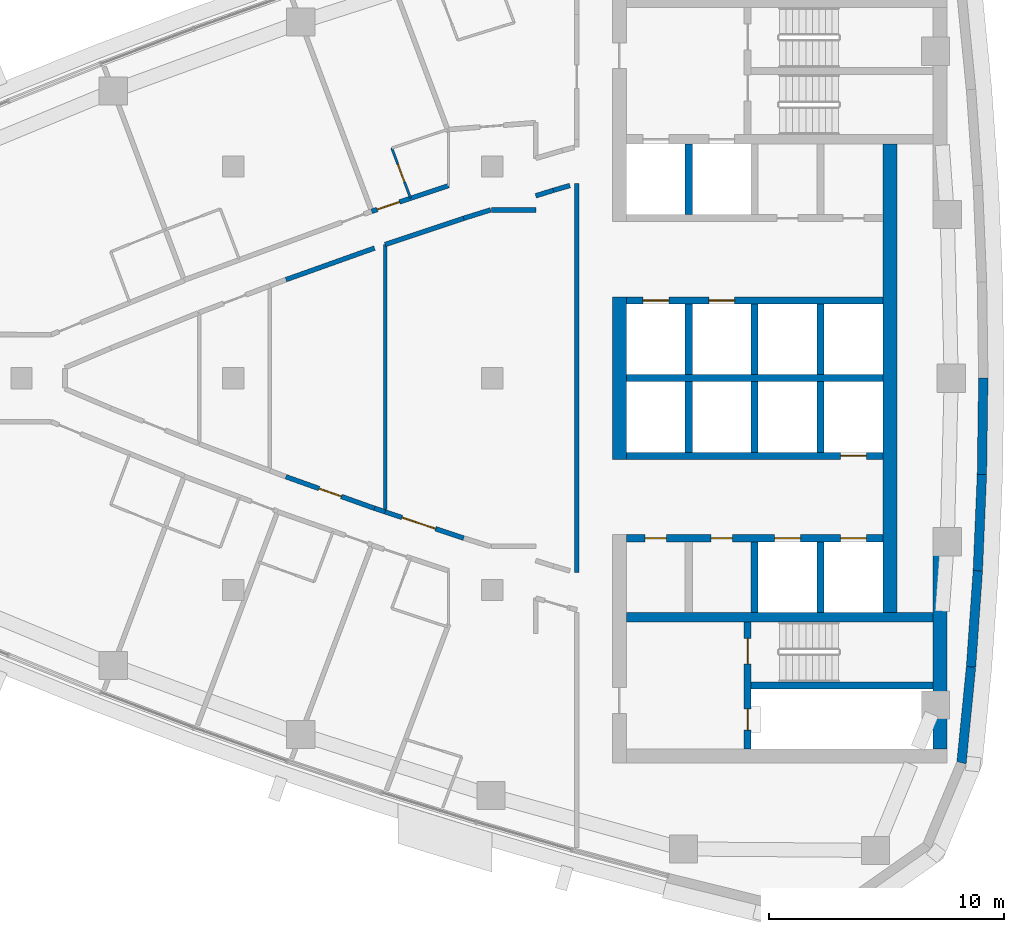
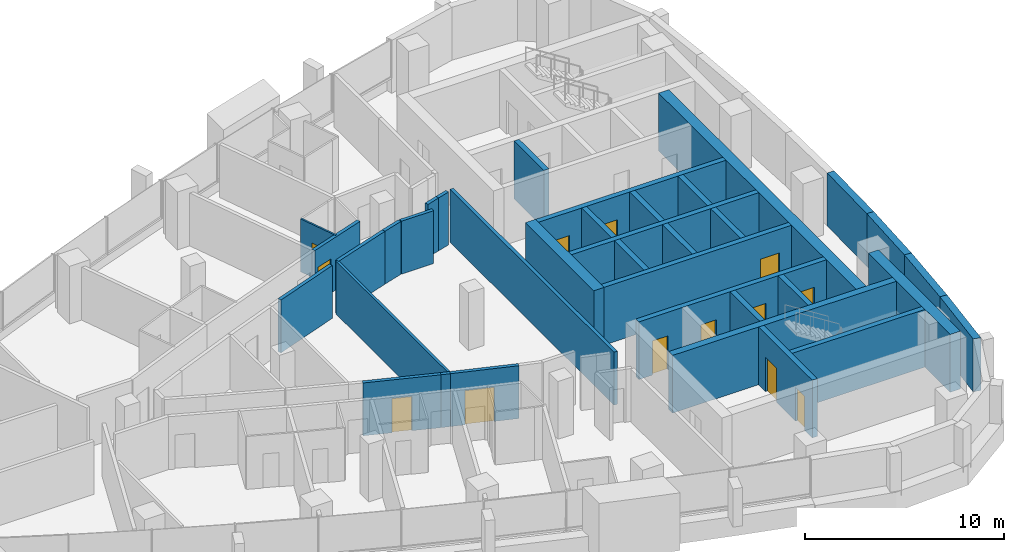
# One storey, part 10 of 16: 36 walls, 13 doors, 13 openings.
"""IFC4 building model written with IfcOpenShell, lengths in metres."""

from ifc_helpers import new_model, si_unit, direction, frame, frame_2d, origin, place, context, subcontext, project, spatial, polyline, rectangle, outline, extrude, material, layer, layer_set, type_object, element, fill, save


model = new_model("IFC4")

# Units and contexts
model_context = context("Model", 3, precision=1e-05, world=origin(), true_north=direction((0.0, 1.0)))
body_context = subcontext(model_context, "Body", "Model", "MODEL_VIEW")
ifc_project = project(units=[si_unit("LENGTHUNIT", "METRE"), si_unit("AREAUNIT", "SQUARE_METRE"), si_unit("VOLUMEUNIT", "CUBIC_METRE"), si_unit("PLANEANGLEUNIT", "RADIAN"), si_unit("MASSUNIT", "GRAM", prefix="KILO")], contexts=[model_context])

# Site, building, storey
site_placement = place(None, origin())
site = spatial("IfcSite", under=ifc_project, at=site_placement, CompositionType="ELEMENT")
building_placement = place(site_placement, origin())
building = spatial("IfcBuilding", under=site, at=building_placement, Name="Ostrand Prow Hotel Tower", CompositionType="ELEMENT")
storey_placement = place(building_placement, frame((0.0, 0.0, 220.800048828125)))
storey = spatial("IfcBuildingStorey", under=building, at=storey_placement, Name="L55", CompositionType="ELEMENT", Elevation=220.800048828125)

# Wall
ifc_material_1 = material(Name="Concrete C50/60", Category="concrete")
ifc_layer_1 = layer(ifc_material_1, 0.300048828125)
ifc_layer_set_1 = layer_set([ifc_layer_1], Name="Concrete C50/60")
wall_type_1 = type_object("IfcWallType", Name="Core wall 300 C50/60", PredefinedType="SHEAR", material=ifc_layer_set_1)
wall_1_placement = place(storey_placement, frame((50.699951171875, 0.0, 0.0), z_axis=(0.0, 0.0, 1.0), x_axis=(1.0, 0.0, 0.0)))
element("IfcWall", 1, at=wall_1_placement, inside=storey, type_object=wall_type_1, Name="Core wall PW-C", PredefinedType="SHEAR", context=body_context, shape_type="SweptSolid", body=[
    extrude(rectangle(XDim=10.900146484375, YDim=0.300048828125, at=frame_2d((5.4501953125, 0.0))), origin(), (0.0, 0.0, 1.0), 3.550048828125),
])

# Wall, openings, doors
wall_2_placement = place(storey_placement, frame((50.699951171875, 3.300048828125, 0.0), z_axis=(0.0, 0.0, 1.0), x_axis=(1.0, 0.0, 0.0)))
wall_2 = element("IfcWall", 2, at=wall_2_placement, inside=storey, type_object=wall_type_1, Name="Core wall PW-L1-N", PredefinedType="SHEAR", context=body_context, shape_type="SweptSolid", body=[
    extrude(rectangle(XDim=10.900146484375, YDim=0.300048828125, at=frame_2d((5.4501953125, 0.0))), origin(), (0.0, 0.0, 1.0), 3.550048828125),
])
opening_1_placement = place(wall_2_placement, frame((0.699951171875, 0.0, 0.0)))
opening_1 = element("IfcOpeningElement", 3, at=opening_1_placement, cuts=wall_2, Name="Opening LD", PredefinedType="OPENING", context=body_context, shape_type="SweptSolid", body=[
    extrude(rectangle(XDim=1.10009765625, YDim=2.10009765625, at=frame_2d((0.550048828125, 1.050048828125))), frame((0.0, 0.159912109375, 0.0), z_axis=(0.0, -1.0, 0.0), x_axis=(1.0, 0.0, 0.0)), (0.0, 0.0, 1.0), 0.320068359375),
])
opening_2_placement = place(wall_2_placement, frame((3.5, 0.0, 0.0)))
opening_2 = element("IfcOpeningElement", 4, at=opening_2_placement, cuts=wall_2, Name="Opening LD", PredefinedType="OPENING", context=body_context, shape_type="SweptSolid", body=[
    extrude(rectangle(XDim=1.10009765625, YDim=2.10009765625, at=frame_2d((0.550048828125, 1.050048828125))), frame((0.0, 0.159912109375, 0.0), z_axis=(0.0, -1.0, 0.0), x_axis=(1.0, 0.0, 0.0)), (0.0, 0.0, 1.0), 0.320068359375),
])
ifc_material_2 = material(Name="Stainless steel door", Category="steel")
door_type_1 = type_object("IfcDoorType", Name="Lift landing door 1100", OperationType="DOUBLE_DOOR_SLIDING", PredefinedType="DOOR", material=ifc_material_2)
door_1_placement = place(opening_1_placement, origin())
door_1 = element("IfcDoor", 5, at=door_1_placement, inside=storey, type_object=door_type_1, Name="LIFT LANDING DOOR", OperationType="DOUBLE_DOOR_SLIDING", OverallHeight=2.10009765625, OverallWidth=1.10009765625, PredefinedType="DOOR", context=body_context, shape_type="SweptSolid", body=[
    extrude(rectangle(XDim=1.10009765625, YDim=2.10009765625, at=frame_2d((0.550048828125, 1.050048828125))), frame((0.0, 0.02490234375, 0.0), z_axis=(0.0, -1.0, 0.0), x_axis=(1.0, 0.0, 0.0)), (0.0, 0.0, 1.0), 0.050048828125),
])
fill(opening_1, door_1)
door_2_placement = place(opening_2_placement, origin())
door_2 = element("IfcDoor", 6, at=door_2_placement, inside=storey, type_object=door_type_1, Name="LIFT LANDING DOOR", OperationType="DOUBLE_DOOR_SLIDING", OverallHeight=2.10009765625, OverallWidth=1.10009765625, PredefinedType="DOOR", context=body_context, shape_type="SweptSolid", body=[
    extrude(rectangle(XDim=1.10009765625, YDim=2.10009765625, at=frame_2d((0.550048828125, 1.050048828125))), frame((0.0, 0.02490234375, 0.0), z_axis=(0.0, -1.0, 0.0), x_axis=(1.0, 0.0, 0.0)), (0.0, 0.0, 1.0), 0.050048828125),
])
fill(opening_2, door_2)

# Walls
for number, where, z_axis, x_axis, name in (
    (7, (53.35009765625, 0.14990234375, 0.0), (0.0, 0.0, 1.0), (0.0, 1.0, 0.0), "Core wall PW-R1-NB"),
    (8, (53.35009765625, 6.949951171875, 0.0), (0.0, 0.0, 1.0), (0.0, 1.0, 0.0), "Core wall PW-R1-NA"),
    (9, (56.14990234375, 0.14990234375, 0.0), (0.0, 0.0, 1.0), (0.0, 1.0, 0.0), "Core wall PW-R2-NB"),
    (10, (58.949951171875, 0.14990234375, 0.0), (0.0, 0.0, 1.0), (0.0, 1.0, 0.0), "Core wall PW-R3-NB"),
):
    element("IfcWall", number, at=place(storey_placement, frame(where, z_axis=z_axis, x_axis=x_axis)), inside=storey, type_object=wall_type_1, Name=name, PredefinedType="SHEAR", context=body_context, shape_type="SweptSolid", body=[
        extrude(rectangle(XDim=3.0, YDim=0.300048828125, at=frame_2d((1.5, 0.0))), origin(), (0.0, 0.0, 1.0), 3.550048828125),
    ])

# Wall, opening, door
wall_3_placement = place(storey_placement, frame((50.699951171875, -3.300048828125, 0.0), z_axis=(0.0, 0.0, 1.0), x_axis=(1.0, 0.0, 0.0)))
wall_3 = element("IfcWall", 11, at=wall_3_placement, inside=storey, type_object=wall_type_1, Name="Core wall PW-L1-S", PredefinedType="SHEAR", context=body_context, shape_type="SweptSolid", body=[
    extrude(rectangle(XDim=10.900146484375, YDim=0.300048828125, at=frame_2d((5.4501953125, 0.0))), origin(), (0.0, 0.0, 1.0), 3.550048828125),
])
opening_3_placement = place(wall_3_placement, frame((9.10009765625, 0.0, 0.0)))
opening_3 = element("IfcOpeningElement", 12, at=opening_3_placement, cuts=wall_3, Name="Opening LD", PredefinedType="OPENING", context=body_context, shape_type="SweptSolid", body=[
    extrude(rectangle(XDim=1.10009765625, YDim=2.10009765625, at=frame_2d((0.550048828125, 1.050048828125))), frame((0.0, 0.159912109375, 0.0), z_axis=(0.0, -1.0, 0.0), x_axis=(1.0, 0.0, 0.0)), (0.0, 0.0, 1.0), 0.320068359375),
])
door_3_placement = place(opening_3_placement, origin())
door_3 = element("IfcDoor", 13, at=door_3_placement, inside=storey, type_object=door_type_1, Name="LIFT LANDING DOOR", OperationType="DOUBLE_DOOR_SLIDING", OverallHeight=2.10009765625, OverallWidth=1.10009765625, PredefinedType="DOOR", context=body_context, shape_type="SweptSolid", body=[
    extrude(rectangle(XDim=1.10009765625, YDim=2.10009765625, at=frame_2d((0.550048828125, 1.050048828125))), frame((0.0, 0.02490234375, 0.0), z_axis=(0.0, -1.0, 0.0), x_axis=(1.0, 0.0, 0.0)), (0.0, 0.0, 1.0), 0.050048828125),
])
fill(opening_3, door_3)

# Wall, openings, doors
wall_4_placement = place(storey_placement, frame((50.699951171875, -6.800048828125, 0.0), z_axis=(0.0, 0.0, 1.0), x_axis=(1.0, 0.0, 0.0)))
wall_4 = element("IfcWall", 14, at=wall_4_placement, inside=storey, type_object=wall_type_1, Name="Core wall PW-L2-S", PredefinedType="SHEAR", context=body_context, shape_type="SweptSolid", body=[
    extrude(rectangle(XDim=10.900146484375, YDim=0.300048828125, at=frame_2d((5.4501953125, 0.0))), origin(), (0.0, 0.0, 1.0), 3.550048828125),
])
opening_4_placement = place(wall_4_placement, frame((6.300048828125, 0.0, 0.0)))
opening_4 = element("IfcOpeningElement", 15, at=opening_4_placement, cuts=wall_4, Name="Opening LD", PredefinedType="OPENING", context=body_context, shape_type="SweptSolid", body=[
    extrude(rectangle(XDim=1.10009765625, YDim=2.10009765625, at=frame_2d((0.550048828125, 1.050048828125))), frame((0.0, 0.159912109375, 0.0), z_axis=(0.0, -1.0, 0.0), x_axis=(1.0, 0.0, 0.0)), (0.0, 0.0, 1.0), 0.320068359375),
])
opening_5_placement = place(wall_4_placement, frame((9.10009765625, 0.0, 0.0)))
opening_5 = element("IfcOpeningElement", 16, at=opening_5_placement, cuts=wall_4, Name="Opening LD", PredefinedType="OPENING", context=body_context, shape_type="SweptSolid", body=[
    extrude(rectangle(XDim=1.10009765625, YDim=2.10009765625, at=frame_2d((0.550048828125, 1.050048828125))), frame((0.0, 0.159912109375, 0.0), z_axis=(0.0, -1.0, 0.0), x_axis=(1.0, 0.0, 0.0)), (0.0, 0.0, 1.0), 0.320068359375),
])
opening_6_placement = place(wall_4_placement, frame((0.800048828125, 0.0, 0.0)))
opening_6 = element("IfcOpeningElement", 17, at=opening_6_placement, cuts=wall_4, Name="Opening FD2", PredefinedType="OPENING", context=body_context, shape_type="SweptSolid", body=[
    extrude(rectangle(XDim=0.89990234375, YDim=2.10009765625, at=frame_2d((0.449951171875, 1.050048828125))), frame((0.0, 0.159912109375, 0.0), z_axis=(0.0, -1.0, 0.0), x_axis=(1.0, 0.0, 0.0)), (0.0, 0.0, 1.0), 0.320068359375),
])
opening_7_placement = place(wall_4_placement, frame((3.60009765625, 0.0, 0.0)))
opening_7 = element("IfcOpeningElement", 18, at=opening_7_placement, cuts=wall_4, Name="Opening FD2", PredefinedType="OPENING", context=body_context, shape_type="SweptSolid", body=[
    extrude(rectangle(XDim=0.89990234375, YDim=2.10009765625, at=frame_2d((0.449951171875, 1.050048828125))), frame((0.0, 0.159912109375, 0.0), z_axis=(0.0, -1.0, 0.0), x_axis=(1.0, 0.0, 0.0)), (0.0, 0.0, 1.0), 0.320068359375),
])
ifc_material_3 = material(Name="Steel fire door", Category="steel")
door_type_2 = type_object("IfcDoorType", Name="Fire door 900 EI120", OperationType="SINGLE_SWING_LEFT", PredefinedType="DOOR", material=ifc_material_3)
door_4_placement = place(opening_6_placement, origin())
door_4 = element("IfcDoor", 19, at=door_4_placement, inside=storey, type_object=door_type_2, Name="DOOR", OperationType="SINGLE_SWING_LEFT", OverallHeight=2.10009765625, OverallWidth=0.89990234375, PredefinedType="DOOR", context=body_context, shape_type="SweptSolid", body=[
    extrude(rectangle(XDim=0.89990234375, YDim=2.10009765625, at=frame_2d((0.449951171875, 1.050048828125))), frame((0.0, 0.02490234375, 0.0), z_axis=(0.0, -1.0, 0.0), x_axis=(1.0, 0.0, 0.0)), (0.0, 0.0, 1.0), 0.050048828125),
])
fill(opening_6, door_4)
door_5_placement = place(opening_7_placement, origin())
door_5 = element("IfcDoor", 20, at=door_5_placement, inside=storey, type_object=door_type_2, Name="DOOR", OperationType="SINGLE_SWING_LEFT", OverallHeight=2.10009765625, OverallWidth=0.89990234375, PredefinedType="DOOR", context=body_context, shape_type="SweptSolid", body=[
    extrude(rectangle(XDim=0.89990234375, YDim=2.10009765625, at=frame_2d((0.449951171875, 1.050048828125))), frame((0.0, 0.02490234375, 0.0), z_axis=(0.0, -1.0, 0.0), x_axis=(1.0, 0.0, 0.0)), (0.0, 0.0, 1.0), 0.050048828125),
])
fill(opening_7, door_5)
door_6_placement = place(opening_4_placement, origin())
door_6 = element("IfcDoor", 21, at=door_6_placement, inside=storey, type_object=door_type_1, Name="LIFT LANDING DOOR", OperationType="DOUBLE_DOOR_SLIDING", OverallHeight=2.10009765625, OverallWidth=1.10009765625, PredefinedType="DOOR", context=body_context, shape_type="SweptSolid", body=[
    extrude(rectangle(XDim=1.10009765625, YDim=2.10009765625, at=frame_2d((0.550048828125, 1.050048828125))), frame((0.0, 0.02490234375, 0.0), z_axis=(0.0, -1.0, 0.0), x_axis=(1.0, 0.0, 0.0)), (0.0, 0.0, 1.0), 0.050048828125),
])
fill(opening_4, door_6)
door_7_placement = place(opening_5_placement, origin())
door_7 = element("IfcDoor", 22, at=door_7_placement, inside=storey, type_object=door_type_1, Name="LIFT LANDING DOOR", OperationType="DOUBLE_DOOR_SLIDING", OverallHeight=2.10009765625, OverallWidth=1.10009765625, PredefinedType="DOOR", context=body_context, shape_type="SweptSolid", body=[
    extrude(rectangle(XDim=1.10009765625, YDim=2.10009765625, at=frame_2d((0.550048828125, 1.050048828125))), frame((0.0, 0.02490234375, 0.0), z_axis=(0.0, -1.0, 0.0), x_axis=(1.0, 0.0, 0.0)), (0.0, 0.0, 1.0), 0.050048828125),
])
fill(opening_5, door_7)

# Walls
for number, where, z_axis, x_axis, name in (
    (23, (53.35009765625, -3.14990234375, 0.0), (0.0, 0.0, 1.0), (0.0, 1.0, 0.0), "Core wall PW-R1-SB"),
    (24, (56.14990234375, -3.14990234375, 0.0), (0.0, 0.0, 1.0), (0.0, 1.0, 0.0), "Core wall PW-R2-SB"),
    (25, (56.14990234375, -9.949951171875, 0.0), (0.0, 0.0, 1.0), (0.0, 1.0, 0.0), "Core wall PW-R2-SA"),
    (26, (58.949951171875, -3.14990234375, 0.0), (0.0, 0.0, 1.0), (0.0, 1.0, 0.0), "Core wall PW-R3-SB"),
    (27, (58.949951171875, -9.949951171875, 0.0), (0.0, 0.0, 1.0), (0.0, 1.0, 0.0), "Core wall PW-R3-SA"),
):
    element("IfcWall", number, at=place(storey_placement, frame(where, z_axis=z_axis, x_axis=x_axis)), inside=storey, type_object=wall_type_1, Name=name, PredefinedType="SHEAR", context=body_context, shape_type="SweptSolid", body=[
        extrude(rectangle(XDim=3.0, YDim=0.300048828125, at=frame_2d((1.5, 0.0))), origin(), (0.0, 0.0, 1.0), 3.550048828125),
    ])

# Wall, openings, doors
wall_5_placement = place(storey_placement, frame((55.85009765625, -15.75, 0.0), z_axis=(0.0, 0.0, 1.0), x_axis=(0.0, 1.0, 0.0)))
wall_5 = element("IfcWall", 28, at=wall_5_placement, inside=storey, type_object=wall_type_1, Name="Core wall PW-VS", PredefinedType="SHEAR", context=body_context, shape_type="SweptSolid", body=[
    extrude(rectangle(XDim=5.39990234375, YDim=0.300048828125, at=frame_2d((2.699951171875, 0.0))), origin(), (0.0, 0.0, 1.0), 3.550048828125),
])
opening_8_placement = place(wall_5_placement, frame((3.60009765625, 0.0, 0.0)))
opening_8 = element("IfcOpeningElement", 29, at=opening_8_placement, cuts=wall_5, Name="Opening FD1", PredefinedType="OPENING", context=body_context, shape_type="SweptSolid", body=[
    extrude(rectangle(XDim=1.10009765625, YDim=2.10009765625, at=frame_2d((0.550048828125, 1.050048828125))), frame((0.0, 0.159912109375, 0.0), z_axis=(0.0, -1.0, 0.0), x_axis=(1.0, 0.0, 0.0)), (0.0, 0.0, 1.0), 0.320068359375),
])
opening_9_placement = place(wall_5_placement, frame((0.800048828125, 0.0, 0.0)))
opening_9 = element("IfcOpeningElement", 30, at=opening_9_placement, cuts=wall_5, Name="Opening FD2", PredefinedType="OPENING", context=body_context, shape_type="SweptSolid", body=[
    extrude(rectangle(XDim=0.89990234375, YDim=2.10009765625, at=frame_2d((0.449951171875, 1.050048828125))), frame((0.0, 0.159912109375, 0.0), z_axis=(0.0, -1.0, 0.0), x_axis=(1.0, 0.0, 0.0)), (0.0, 0.0, 1.0), 0.320068359375),
])
ifc_material_4 = material(Name="Steel fire door", Category="steel")
door_type_3 = type_object("IfcDoorType", Name="Fire door 1100 EI120", OperationType="SINGLE_SWING_RIGHT", PredefinedType="DOOR", material=ifc_material_4)
door_8_placement = place(opening_8_placement, origin())
door_8 = element("IfcDoor", 31, at=door_8_placement, inside=storey, type_object=door_type_3, Name="FIRE DOOR", OperationType="SINGLE_SWING_RIGHT", OverallHeight=2.10009765625, OverallWidth=1.10009765625, PredefinedType="DOOR", context=body_context, shape_type="SweptSolid", body=[
    extrude(rectangle(XDim=1.10009765625, YDim=2.10009765625, at=frame_2d((0.550048828125, 1.050048828125))), frame((0.0, 0.02490234375, 0.0), z_axis=(0.0, -1.0, 0.0), x_axis=(1.0, 0.0, 0.0)), (0.0, 0.0, 1.0), 0.050048828125),
])
fill(opening_8, door_8)
door_9_placement = place(opening_9_placement, origin())
door_9 = element("IfcDoor", 32, at=door_9_placement, inside=storey, type_object=door_type_2, Name="FIRE DOOR", OperationType="SINGLE_SWING_LEFT", OverallHeight=2.10009765625, OverallWidth=0.89990234375, PredefinedType="DOOR", context=body_context, shape_type="SweptSolid", body=[
    extrude(rectangle(XDim=0.89990234375, YDim=2.10009765625, at=frame_2d((0.449951171875, 1.050048828125))), frame((0.0, 0.02490234375, 0.0), z_axis=(0.0, -1.0, 0.0), x_axis=(1.0, 0.0, 0.0)), (0.0, 0.0, 1.0), 0.050048828125),
])
fill(opening_9, door_9)

# Walls
wall_6_placement = place(storey_placement, frame((56.0, -13.050048828125, 0.0), z_axis=(0.0, 0.0, 1.0), x_axis=(1.0, 0.0, 0.0)))
element("IfcWall", 33, at=wall_6_placement, inside=storey, type_object=wall_type_1, Name="Core wall PW-ST2R", PredefinedType="SHEAR", context=body_context, shape_type="SweptSolid", body=[
    extrude(rectangle(XDim=7.719970703125, YDim=0.300048828125, at=frame_2d((3.85986328125, 0.0))), origin(), (0.0, 0.0, 1.0), 3.550048828125),
])
ifc_material_5 = material(Name="Concrete C50/60", Category="concrete")
ifc_layer_2 = layer(ifc_material_5, 0.39990234375)
ifc_layer_set_2 = layer_set([ifc_layer_2], Name="Concrete C50/60")
wall_type_2 = type_object("IfcWallType", Name="Core wall 400 C50/60", PredefinedType="SHEAR", material=ifc_layer_set_2)
wall_7_placement = place(storey_placement, frame((50.699951171875, -10.14990234375, 0.0), z_axis=(0.0, 0.0, 1.0), x_axis=(1.0, 0.0, 0.0)))
element("IfcWall", 34, at=wall_7_placement, inside=storey, type_object=wall_type_2, Name="Core wall PW-BS", PredefinedType="SHEAR", context=body_context, shape_type="SweptSolid", body=[
    extrude(rectangle(XDim=13.02001953125, YDim=0.39990234375, at=frame_2d((6.510009765625, 0.0))), origin(), (0.0, 0.0, 1.0), 3.550048828125),
])
ifc_material_6 = material(Name="Concrete C50/60", Category="concrete")
ifc_layer_3 = layer(ifc_material_6, 0.60009765625)
ifc_layer_set_3 = layer_set([ifc_layer_3], Name="Concrete C50/60")
wall_type_3 = type_object("IfcWallType", Name="Core wall 600 C50/60", PredefinedType="SHEAR", material=ifc_layer_set_3)
wall_8_placement = place(storey_placement, frame((50.39990234375, -3.449951171875, 0.0), z_axis=(0.0, 0.0, 1.0), x_axis=(0.0, 1.0, 0.0)))
element("IfcWall", 35, at=wall_8_placement, inside=storey, type_object=wall_type_3, Name="Core wall CW-W-C", PredefinedType="SHEAR", context=body_context, shape_type="SweptSolid", body=[
    extrude(rectangle(XDim=6.89990234375, YDim=0.60009765625, at=frame_2d((3.449951171875, 0.0))), origin(), (0.0, 0.0, 1.0), 3.550048828125),
])
wall_9_placement = place(storey_placement, frame((64.02001953125, -15.75, 0.0), z_axis=(0.0, 0.0, 1.0), x_axis=(0.0, 1.0, 0.0)))
element("IfcWall", 36, at=wall_9_placement, inside=storey, type_object=wall_type_3, Name="Core wall CW-E-S", PredefinedType="SHEAR", context=body_context, shape_type="SweptSolid", body=[
    extrude(rectangle(XDim=8.247802734375, YDim=0.60009765625, at=frame_2d((4.1240234375, 0.0))), origin(), (0.0, 0.0, 1.0), 3.550048828125),
])
wall_10_placement = place(storey_placement, frame((61.89990234375, -9.949951171875, 0.0), z_axis=(0.0, 0.0, 1.0), x_axis=(0.0, 1.0, 0.0)))
element("IfcWall", 37, at=wall_10_placement, inside=storey, type_object=wall_type_3, Name="Core wall CW-E-C", PredefinedType="SHEAR", context=body_context, shape_type="SweptSolid", body=[
    extrude(rectangle(XDim=19.89990234375, YDim=0.60009765625, at=frame_2d((9.949951171875, 0.0))), origin(), (0.0, 0.0, 1.0), 3.550048828125),
])

# Wall, opening, door
ifc_material_7 = material(Name="Plasterboard partition")
ifc_layer_4 = layer(ifc_material_7, 0.10009765625)
ifc_layer_set_4 = layer_set([ifc_layer_4], Name="Plasterboard partition")
wall_type_4 = type_object("IfcWallType", Name="Partition 100 bathroom wall", PredefinedType="PARTITIONING", material=ifc_layer_set_4)
wall_11_placement = place(storey_placement, frame((41.53173828125, 7.645263671875, 0.0), z_axis=(0.0, 0.0, 1.0), x_axis=(-0.351146927505, 0.936320370014, 0.0)))
wall_11 = element("IfcWall", 38, at=wall_11_placement, inside=storey, type_object=wall_type_4, Name="BATHROOM WALL", PredefinedType="PARTITIONING", context=body_context, shape_type="SweptSolid", body=[
    extrude(rectangle(XDim=2.2783203125, YDim=0.10009765625, at=frame_2d((1.13916015625, 0.0))), origin(), (0.0, 0.0, 1.0), 3.25),
])
opening_10_placement = place(wall_11_placement, frame((0.75, 0.0, 0.0)))
opening_10 = element("IfcOpeningElement", 39, at=opening_10_placement, cuts=wall_11, Name="Opening D2", PredefinedType="OPENING", context=body_context, shape_type="SweptSolid", body=[
    extrude(rectangle(XDim=0.800048828125, YDim=2.10009765625, at=frame_2d((0.39990234375, 1.050048828125))), frame((0.0, 0.06005859375, 0.0), z_axis=(0.0, -1.0, 0.0), x_axis=(1.0, 0.0, 0.0)), (0.0, 0.0, 1.0), 0.1201171875),
])
ifc_material_8 = material(Name="Timber door leaf", Category="wood")
door_type_4 = type_object("IfcDoorType", Name="Bathroom door 800", OperationType="SINGLE_SWING_LEFT", PredefinedType="DOOR", material=ifc_material_8)
door_10_placement = place(opening_10_placement, origin())
door_10 = element("IfcDoor", 40, at=door_10_placement, inside=storey, type_object=door_type_4, Name="DOOR", OperationType="SINGLE_SWING_LEFT", OverallHeight=2.10009765625, OverallWidth=0.800048828125, PredefinedType="DOOR", context=body_context, shape_type="SweptSolid", body=[
    extrude(rectangle(XDim=0.800048828125, YDim=2.10009765625, at=frame_2d((0.39990234375, 1.050048828125))), frame((0.0, 0.02490234375, 0.0), z_axis=(0.0, -1.0, 0.0), x_axis=(1.0, 0.0, 0.0)), (0.0, 0.0, 1.0), 0.050048828125),
])
fill(opening_10, door_10)

# Wall
ifc_material_9 = material(Name="Plasterboard partition")
ifc_layer_5 = layer(ifc_material_9, 0.14990234375)
ifc_layer_set_5 = layer_set([ifc_layer_5], Name="Plasterboard partition")
wall_type_5 = type_object("IfcWallType", Name="Partition 150 room partition", PredefinedType="PARTITIONING", material=ifc_layer_set_5)
wall_12_placement = place(storey_placement, frame((40.44775390625, -5.572021484375, 0.0), z_axis=(0.0, 0.0, 1.0), x_axis=(0.0, 1.0, 0.0)))
element("IfcWall", 41, at=wall_12_placement, inside=storey, type_object=wall_type_5, Name="ROOM PARTITION", PredefinedType="PARTITIONING", context=body_context, shape_type="SweptSolid", body=[
    extrude(rectangle(XDim=11.249267578125, YDim=0.14990234375, at=frame_2d((5.62451171875, 0.0))), origin(), (0.0, 0.0, 1.0), 3.25),
])

# Wall, opening, door
ifc_material_10 = material(Name="Plasterboard partition")
ifc_layer_6 = layer(ifc_material_10, 0.199951171875)
ifc_layer_set_6 = layer_set([ifc_layer_6], Name="Plasterboard partition")
wall_type_6 = type_object("IfcWallType", Name="Partition 200 corridor wall", PredefinedType="PARTITIONING", material=ifc_layer_set_6)
wall_13_placement = place(storey_placement, frame((43.14990234375, 8.1826171875, 0.0), z_axis=(0.0, 0.0, 1.0), x_axis=(-0.948477584784, -0.316844238013, 0.0)))
wall_13 = element("IfcWall", 42, at=wall_13_placement, inside=storey, type_object=wall_type_6, Name="CORRIDOR WALL", PredefinedType="PARTITIONING", context=body_context, shape_type="SweptSolid", body=[
    extrude(rectangle(XDim=3.445068359375, YDim=0.199951171875, at=frame_2d((1.72265625, 0.0))), origin(), (0.0, 0.0, 1.0), 3.25),
])
opening_11_placement = place(wall_13_placement, frame((2.199951171875, 0.0, 0.0)))
opening_11 = element("IfcOpeningElement", 43, at=opening_11_placement, cuts=wall_13, Name="Opening D1R", PredefinedType="OPENING", context=body_context, shape_type="SweptSolid", body=[
    extrude(rectangle(XDim=1.0, YDim=2.10009765625, at=frame_2d((0.5, 1.050048828125))), frame((0.0, 0.10986328125, 0.0), z_axis=(0.0, -1.0, 0.0), x_axis=(1.0, 0.0, 0.0)), (0.0, 0.0, 1.0), 0.219970703125),
])
ifc_material_11 = material(Name="Timber door leaf", Category="wood")
door_type_5 = type_object("IfcDoorType", Name="Guest room door 1000 right", OperationType="SINGLE_SWING_RIGHT", PredefinedType="DOOR", material=ifc_material_11)
door_11_placement = place(opening_11_placement, origin())
door_11 = element("IfcDoor", 44, at=door_11_placement, inside=storey, type_object=door_type_5, Name="DOOR", OperationType="SINGLE_SWING_RIGHT", OverallHeight=2.10009765625, OverallWidth=1.0, PredefinedType="DOOR", context=body_context, shape_type="SweptSolid", body=[
    extrude(rectangle(XDim=1.0, YDim=2.10009765625, at=frame_2d((0.5, 1.050048828125))), frame((0.0, 0.02490234375, 0.0), z_axis=(0.0, -1.0, 0.0), x_axis=(1.0, 0.0, 0.0)), (0.0, 0.0, 1.0), 0.050048828125),
])
fill(opening_11, door_11)

wall_14_placement = place(storey_placement, frame((39.999267578125, -5.52734375, 0.0), z_axis=(0.0, 0.0, 1.0), x_axis=(-0.941909090846, 0.335867927288, 0.0)))
wall_14 = element("IfcWall", 45, at=wall_14_placement, inside=storey, type_object=wall_type_6, Name="CORRIDOR WALL", PredefinedType="PARTITIONING", context=body_context, shape_type="SweptSolid", body=[
    extrude(rectangle(XDim=3.9951171875, YDim=0.199951171875, at=frame_2d((1.99755859375, 0.0))), origin(), (0.0, 0.0, 1.0), 3.25),
])
opening_12_placement = place(wall_14_placement, frame((1.49755859375, 0.0, 0.0)))
opening_12 = element("IfcOpeningElement", 46, at=opening_12_placement, cuts=wall_14, Name="Opening D1R", PredefinedType="OPENING", context=body_context, shape_type="SweptSolid", body=[
    extrude(rectangle(XDim=1.0, YDim=2.10009765625, at=frame_2d((0.5, 1.050048828125))), frame((0.0, 0.10986328125, 0.0), z_axis=(0.0, -1.0, 0.0), x_axis=(1.0, 0.0, 0.0)), (0.0, 0.0, 1.0), 0.219970703125),
])
door_12_placement = place(opening_12_placement, origin())
door_12 = element("IfcDoor", 47, at=door_12_placement, inside=storey, type_object=door_type_5, Name="DOOR", OperationType="SINGLE_SWING_RIGHT", OverallHeight=2.10009765625, OverallWidth=1.0, PredefinedType="DOOR", context=body_context, shape_type="SweptSolid", body=[
    extrude(rectangle(XDim=1.0, YDim=2.10009765625, at=frame_2d((0.5, 1.050048828125))), frame((0.0, 0.02490234375, 0.0), z_axis=(0.0, -1.0, 0.0), x_axis=(1.0, 0.0, 0.0)), (0.0, 0.0, 1.0), 0.050048828125),
])
fill(opening_12, door_12)

# Wall
wall_15_placement = place(storey_placement, frame((36.236328125, 4.185546875, 0.0), z_axis=(0.0, 0.0, 1.0), x_axis=(0.941909090846, 0.335867927288, 0.0)))
element("IfcWall", 48, at=wall_15_placement, inside=storey, type_object=wall_type_6, Name="CORRIDOR WALL", PredefinedType="PARTITIONING", context=body_context, shape_type="SweptSolid", body=[
    extrude(rectangle(XDim=3.9951171875, YDim=0.199951171875, at=frame_2d((1.99755859375, 0.0))), origin(), (0.0, 0.0, 1.0), 3.25),
])

# Wall, opening, door
wall_16_placement = place(storey_placement, frame((43.788330078125, -6.793212890625, 0.0), z_axis=(0.0, 0.0, 1.0), x_axis=(-0.948475139593, 0.316851557632, 0.0)))
wall_16 = element("IfcWall", 49, at=wall_16_placement, inside=storey, type_object=wall_type_6, Name="CORRIDOR WALL", PredefinedType="PARTITIONING", context=body_context, shape_type="SweptSolid", body=[
    extrude(rectangle(XDim=3.52197265625, YDim=0.199951171875, at=frame_2d((1.760986328125, 0.0))), origin(), (0.0, 0.0, 1.0), 3.25),
])
opening_13_placement = place(wall_16_placement, frame((1.260986328125, 0.0, 0.0)))
opening_13 = element("IfcOpeningElement", 50, at=opening_13_placement, cuts=wall_16, Name="Opening D15", PredefinedType="OPENING", context=body_context, shape_type="SweptSolid", body=[
    extrude(rectangle(XDim=1.5, YDim=2.10009765625, at=frame_2d((0.75, 1.050048828125))), frame((0.0, 0.10986328125, 0.0), z_axis=(0.0, -1.0, 0.0), x_axis=(1.0, 0.0, 0.0)), (0.0, 0.0, 1.0), 0.219970703125),
])
ifc_material_12 = material(Name="Timber door leaf", Category="wood")
door_type_6 = type_object("IfcDoorType", Name="Double door 1500", OperationType="DOUBLE_DOOR_SINGLE_SWING", PredefinedType="DOOR", material=ifc_material_12)
door_13_placement = place(opening_13_placement, origin())
door_13 = element("IfcDoor", 51, at=door_13_placement, inside=storey, type_object=door_type_6, Name="DOOR", OperationType="DOUBLE_DOOR_SINGLE_SWING", OverallHeight=2.10009765625, OverallWidth=1.5, PredefinedType="DOOR", context=body_context, shape_type="SweptSolid", body=[
    extrude(rectangle(XDim=1.5, YDim=2.10009765625, at=frame_2d((0.75, 1.050048828125))), frame((0.0, 0.02490234375, 0.0), z_axis=(0.0, -1.0, 0.0), x_axis=(1.0, 0.0, 0.0)), (0.0, 0.0, 1.0), 0.050048828125),
])
fill(opening_13, door_13)

# Walls
wall_17_placement = place(storey_placement, frame((43.788330078125, 6.793212890625, 0.0), z_axis=(0.0, 0.0, 1.0), x_axis=(0.954693570678, 0.29759063511, 0.0)))
element("IfcWall", 52, at=wall_17_placement, inside=storey, type_object=wall_type_6, Name="CORRIDOR WALL", PredefinedType="PARTITIONING", context=body_context, shape_type="SweptSolid", body=[
    extrude(rectangle(XDim=1.198486328125, YDim=0.199951171875, at=frame_2d((0.59912109375, 0.0))), origin(), (0.0, 0.0, 1.0), 3.25),
])
wall_18_placement = place(storey_placement, frame((46.85009765625, 7.747802734375, 0.0), z_axis=(0.0, 0.0, 1.0), x_axis=(0.95461224237, 0.297851417181, 0.0)))
element("IfcWall", 53, at=wall_18_placement, inside=storey, type_object=wall_type_6, Name="CORRIDOR WALL", PredefinedType="PARTITIONING", context=body_context, shape_type="SweptSolid", body=[
    extrude(rectangle(XDim=0.78759765625, YDim=0.199951171875, at=frame_2d((0.393798828125, 0.0))), origin(), (0.0, 0.0, 1.0), 3.25),
])
wall_19_placement = place(storey_placement, frame((40.44775390625, 5.67724609375, 0.0), z_axis=(0.0, 0.0, 1.0), x_axis=(0.948475139593, 0.316851557632, 0.0)))
element("IfcWall", 54, at=wall_19_placement, inside=storey, type_object=wall_type_6, Name="CORRIDOR WALL", PredefinedType="PARTITIONING", context=body_context, shape_type="SweptSolid", body=[
    extrude(rectangle(XDim=3.52197265625, YDim=0.199951171875, at=frame_2d((1.760986328125, 0.0))), origin(), (0.0, 0.0, 1.0), 3.25),
])
wall_20_placement = place(storey_placement, frame((47.60205078125, 7.982421875, 0.0), z_axis=(0.0, 0.0, 1.0), x_axis=(0.960439023181, 0.278490363839, 0.0)))
element("IfcWall", 55, at=wall_20_placement, inside=storey, type_object=wall_type_6, Name="CORRIDOR WALL", PredefinedType="PARTITIONING", context=body_context, shape_type="SweptSolid", body=[
    extrude(rectangle(XDim=0.726806640625, YDim=0.199951171875, at=frame_2d((0.36328125, 0.0))), origin(), (0.0, 0.0, 1.0), 3.25),
])
wall_21_placement = place(storey_placement, frame((44.972412109375, 7.14501953125, 0.0), z_axis=(0.0, 0.0, 1.0), x_axis=(0.99999999156, 0.000129920747, 0.0)))
element("IfcWall", 56, at=wall_21_placement, inside=storey, type_object=wall_type_6, Name="CORRIDOR WALL", PredefinedType="PARTITIONING", context=body_context, shape_type="SweptSolid", body=[
    extrude(rectangle(XDim=1.879150390625, YDim=0.199951171875, at=frame_2d((0.939453125, 0.0))), origin(), (0.0, 0.0, 1.0), 3.25),
])
wall_22_placement = place(storey_placement, frame((48.594970703125, 8.264892578125, 0.0), z_axis=(0.0, 0.0, 1.0), x_axis=(0.0, -1.0, 0.0)))
element("IfcWall", 57, at=wall_22_placement, inside=storey, type_object=wall_type_6, Name="CORRIDOR WALL", PredefinedType="PARTITIONING", context=body_context, shape_type="SweptSolid", body=[
    extrude(rectangle(XDim=16.52978515625, YDim=0.199951171875, at=frame_2d((8.264892578125, 0.0))), origin(), (0.0, 0.0, 1.0), 3.25),
])
wall_23_placement = place(storey_placement, frame((40.44775390625, -5.67724609375, 0.0), z_axis=(0.0, 0.0, 1.0), x_axis=(-0.948424836926, 0.317002095739, 0.0)))
element("IfcWall", 58, at=wall_23_placement, inside=storey, type_object=wall_type_6, Name="CORRIDOR WALL", PredefinedType="PARTITIONING", context=body_context, shape_type="SweptSolid", body=[
    extrude(rectangle(XDim=0.472900390625, YDim=0.199951171875, at=frame_2d((0.236328125, 0.0))), origin(), (0.0, 0.0, 1.0), 3.25),
])
ifc_material_13 = material(Name="Precast concrete C40/50", Category="concrete")
ifc_layer_7 = layer(ifc_material_13, 0.39990234375)
ifc_layer_set_7 = layer_set([ifc_layer_7], Name="Precast concrete C40/50")
wall_type_7 = type_object("IfcWallType", Name="Stone-faced precast wall 400 mm", PredefinedType="NOTDEFINED", material=ifc_layer_set_7)
wall_24_placement = place(storey_placement, frame((64.9375, -16.33740234375, 0.0), z_axis=(0.0, 0.0, 1.0), x_axis=(0.098718218066, 0.995115427185, 0.0)))
element("IfcWall", 59, at=wall_24_placement, inside=storey, type_object=wall_type_7, Name="Stone-faced wall back 5", PredefinedType="NOTDEFINED", context=body_context, shape_type="SweptSolid", body=[
    extrude(outline(polyline([(-0.02978515625, -0.199951171875), (4.095703125, -0.199951171875), (4.09033203125, 0.199951171875), (0.02978515625, 0.199951171875), (-0.02978515625, -0.199951171875)])), origin(), (0.0, 0.0, 1.0), 3.25),
])
wall_25_placement = place(storey_placement, frame((65.341552734375, -12.264404296875, 0.0), z_axis=(0.0, 0.0, 1.0), x_axis=(0.070623905352, 0.997503014528, 0.0)))
element("IfcWall", 60, at=wall_25_placement, inside=storey, type_object=wall_type_7, Name="Stone-faced wall back 6", PredefinedType="NOTDEFINED", context=body_context, shape_type="SweptSolid", body=[
    extrude(outline(polyline([(-0.002685546875, -0.199951171875), (4.095703125, -0.199951171875), (4.09033203125, 0.199951171875), (0.002685546875, 0.199951171875), (-0.002685546875, -0.199951171875)])), origin(), (0.0, 0.0, 1.0), 3.25),
])
wall_26_placement = place(storey_placement, frame((65.630615234375, -8.181640625, 0.0), z_axis=(0.0, 0.0, 1.0), x_axis=(0.042352554594, 0.999102728011, 0.0)))
element("IfcWall", 61, at=wall_26_placement, inside=storey, type_object=wall_type_7, Name="Stone-faced wall back 7", PredefinedType="NOTDEFINED", context=body_context, shape_type="SweptSolid", body=[
    extrude(outline(polyline([(-0.002685546875, -0.199951171875), (4.095458984375, -0.199951171875), (4.090087890625, 0.199951171875), (0.002685546875, 0.199951171875), (-0.002685546875, -0.199951171875)])), origin(), (0.0, 0.0, 1.0), 3.25),
])
wall_27_placement = place(storey_placement, frame((65.803955078125, -4.092529296875, 0.0), z_axis=(0.0, 0.0, 1.0), x_axis=(0.014136867892, 0.99990006949, 0.0)))
element("IfcWall", 62, at=wall_27_placement, inside=storey, type_object=wall_type_7, Name="Stone-faced wall back 8", PredefinedType="NOTDEFINED", context=body_context, shape_type="SweptSolid", body=[
    extrude(outline(polyline([(-0.002685546875, -0.199951171875), (4.095703125, -0.199951171875), (4.09033203125, 0.199951171875), (0.002685546875, 0.199951171875), (-0.002685546875, -0.199951171875)])), origin(), (0.0, 0.0, 1.0), 3.25),
])

save(model, "model.ifc")
